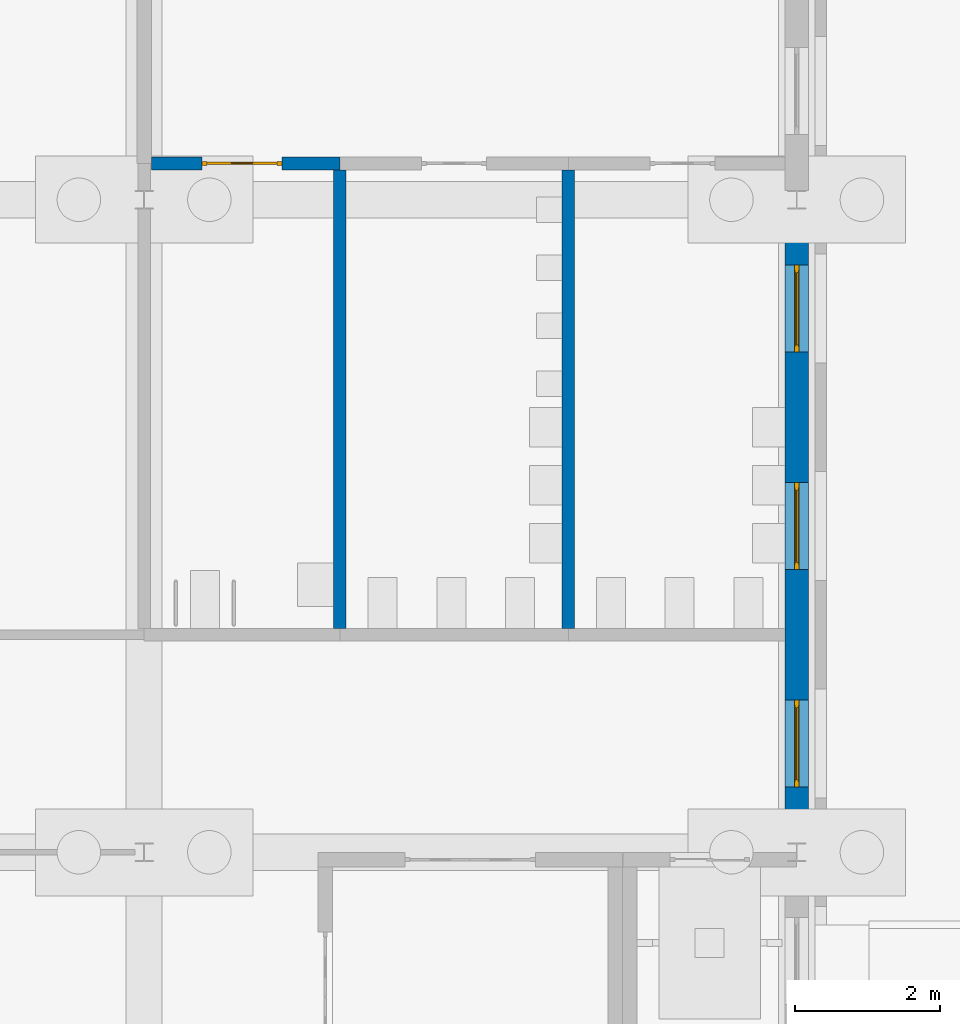
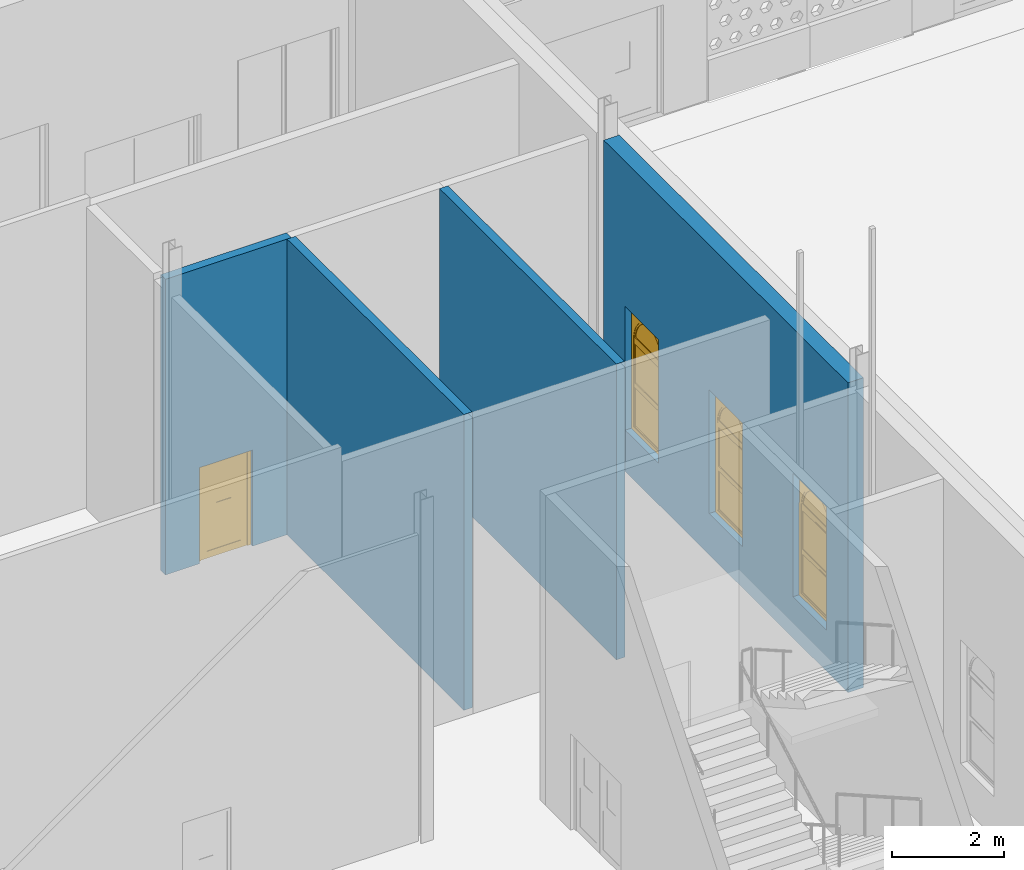
# One storey, part 118 of 250: 4 walls, 3 windows, 1 door, 4 openings.
"""IFC4 building model written with IfcOpenShell, lengths in metres."""

from ifc_helpers import new_model, si_unit, direction, frame, frame_2d, origin, place, context, subcontext, project, spatial, polyline, rectangle, outline, extrude, material, layer, layer_set, type_object, element, fill, save


model = new_model("IFC4")

# Units and contexts
model_context = context("Model", 3, precision=1e-05, world=origin(), true_north=direction((0.0, 1.0)))
body_context = subcontext(model_context, "Body", "Model", "MODEL_VIEW")
ifc_project = project(units=[si_unit("LENGTHUNIT", "METRE"), si_unit("AREAUNIT", "SQUARE_METRE"), si_unit("VOLUMEUNIT", "CUBIC_METRE"), si_unit("PLANEANGLEUNIT", "RADIAN"), si_unit("MASSUNIT", "GRAM", prefix="KILO")], contexts=[model_context])

# Site, building, storey
site_placement = place(None, origin())
site = spatial("IfcSite", under=ifc_project, at=site_placement, CompositionType="ELEMENT")
building_placement = place(site_placement, origin())
building = spatial("IfcBuilding", under=site, at=building_placement, Name="Baradari Gate Terminus", CompositionType="ELEMENT")
storey_placement = place(building_placement, origin())
storey = spatial("IfcBuildingStorey", under=building, at=storey_placement, Name="L00", CompositionType="ELEMENT", Elevation=0.0)

# Wall, openings, windows
ifc_material_1 = material(Name="Sandstone masonry", Category="masonry")
ifc_layer_1 = layer(ifc_material_1, 0.320068359375)
ifc_layer_set_1 = layer_set([ifc_layer_1], Name="Sandstone masonry")
wall_type_1 = type_object("IfcWallType", Name="Sandstone masonry wall WS-3 320", PredefinedType="SOLIDWALL", material=ifc_layer_set_1)
wall_1_placement = place(storey_placement, frame((153.0, 18.130126953125, 0.0), z_axis=(0.0, 0.0, 1.0), x_axis=(0.0, 1.0, 0.0)))
wall_1 = element("IfcWall", 1, at=wall_1_placement, inside=storey, type_object=wall_type_1, Name="east end wall SE bay 3 L00", PredefinedType="SOLIDWALL", context=body_context, shape_type="SweptSolid", body=[
    extrude(rectangle(XDim=8.73974609375, YDim=0.320068359375, at=frame_2d((4.369873046875, 0.0))), origin(), (0.0, 0.0, 1.0), 6.767333984375),
])
opening_1_placement = place(wall_1_placement, frame((0.769775390625, 0.0, 0.89990234375)))
opening_1 = element("IfcOpeningElement", 2, at=opening_1_placement, cuts=wall_1, Name="Opening W7", PredefinedType="OPENING", context=body_context, shape_type="SweptSolid", body=[
    extrude(rectangle(XDim=1.199951171875, YDim=2.699951171875, at=frame_2d((0.60009765625, 1.35009765625))), frame((0.0, 0.169921875, 0.0), z_axis=(0.0, -1.0, 0.0), x_axis=(1.0, 0.0, 0.0)), (0.0, 0.0, 1.0), 0.340087890625),
])
opening_2_placement = place(wall_1_placement, frame((3.769775390625, 0.0, 0.89990234375)))
opening_2 = element("IfcOpeningElement", 3, at=opening_2_placement, cuts=wall_1, Name="Opening W7", PredefinedType="OPENING", context=body_context, shape_type="SweptSolid", body=[
    extrude(rectangle(XDim=1.199951171875, YDim=2.699951171875, at=frame_2d((0.60009765625, 1.35009765625))), frame((0.0, 0.169921875, 0.0), z_axis=(0.0, -1.0, 0.0), x_axis=(1.0, 0.0, 0.0)), (0.0, 0.0, 1.0), 0.340087890625),
])
opening_3_placement = place(wall_1_placement, frame((6.769775390625, 0.0, 0.89990234375)))
opening_3 = element("IfcOpeningElement", 4, at=opening_3_placement, cuts=wall_1, Name="Opening W7", PredefinedType="OPENING", context=body_context, shape_type="SweptSolid", body=[
    extrude(rectangle(XDim=1.199951171875, YDim=2.699951171875, at=frame_2d((0.60009765625, 1.35009765625))), frame((0.0, 0.169921875, 0.0), z_axis=(0.0, -1.0, 0.0), x_axis=(1.0, 0.0, 0.0)), (0.0, 0.0, 1.0), 0.340087890625),
])
ifc_material_2 = material(Name="Aluminium 6063-T6", Category="aluminium")
window_type = type_object("IfcWindowType", Name="Service block window W7 1200x2700", PartitioningType="DOUBLE_PANEL_HORIZONTAL", PredefinedType="WINDOW", material=ifc_material_2)
window_1_placement = place(opening_1_placement, origin())
window_1 = element("IfcWindow", 5, at=window_1_placement, inside=storey, type_object=window_type, Name="Window W7 SE/02", OverallHeight=2.7, OverallWidth=1.2, PartitioningType="DOUBLE_PANEL_HORIZONTAL", PredefinedType="WINDOW", context=body_context, shape_type="SweptSolid", body=[
    extrude(outline(polyline([(0.0, 0.0), (1.199951171875, 0.0), (1.199951171875, 1.969970703125), (1.195068359375, 2.05517578125), (1.180419921875, 2.13916015625), (1.15625, 2.220947265625), (1.123046875, 2.29931640625), (1.0810546875, 2.37353515625), (1.03076171875, 2.4423828125), (0.972900390625, 2.505126953125), (0.908203125, 2.560791015625), (0.837646484375, 2.608642578125), (0.76220703125, 2.648193359375), (0.6826171875, 2.6787109375), (0.599853515625, 2.699951171875), (0.517333984375, 2.6787109375), (0.437744140625, 2.648193359375), (0.3623046875, 2.608642578125), (0.291748046875, 2.560791015625), (0.22705078125, 2.505126953125), (0.169189453125, 2.4423828125), (0.118896484375, 2.37353515625), (0.076904296875, 2.29931640625), (0.043701171875, 2.220947265625), (0.01953125, 2.13916015625), (0.0048828125, 2.05517578125), (0.0, 1.969970703125), (0.0, 0.0)]), holes=[polyline([(0.070068359375, 0.070068359375), (1.1298828125, 0.070068359375), (1.1298828125, 1.969970703125), (1.12548828125, 2.0458984375), (1.11279296875, 2.12109375), (1.091552734375, 2.1943359375), (1.062255859375, 2.2646484375), (1.025390625, 2.3310546875), (0.98095703125, 2.39306640625), (0.929931640625, 2.44970703125), (0.873046875, 2.500244140625), (0.810791015625, 2.5439453125), (0.743896484375, 2.58056640625), (0.67333984375, 2.609375), (0.60009765625, 2.6298828125), (0.526611328125, 2.609375), (0.4560546875, 2.58056640625), (0.38916015625, 2.5439453125), (0.326904296875, 2.500244140625), (0.27001953125, 2.44970703125), (0.218994140625, 2.39306640625), (0.174560546875, 2.3310546875), (0.1376953125, 2.2646484375), (0.1083984375, 2.1943359375), (0.087158203125, 2.12109375), (0.074462890625, 2.0458984375), (0.070068359375, 1.969970703125), (0.070068359375, 0.070068359375)])]), frame((0.0, 0.030029296875, 0.0), z_axis=(0.0, -1.0, 0.0), x_axis=(1.0, 0.0, 0.0)), (0.0, 0.0, 1.0), 0.06005859375),
    extrude(outline(polyline([(0.0, 1.969970703125), (0.0048828125, 2.05517578125), (0.01953125, 2.13916015625), (0.043701171875, 2.220947265625), (0.076904296875, 2.29931640625), (0.118896484375, 2.37353515625), (0.169189453125, 2.4423828125), (0.22705078125, 2.505126953125), (0.291748046875, 2.560791015625), (0.3623046875, 2.608642578125), (0.437744140625, 2.648193359375), (0.517333984375, 2.6787109375), (0.599853515625, 2.699951171875), (0.0, 2.699951171875), (0.0, 1.969970703125)])), frame((0.0, 0.028076171875, 0.0), z_axis=(0.0, -1.0, 0.0), x_axis=(1.0, 0.0, 0.0)), (0.0, 0.0, 1.0), 0.05615234375),
    extrude(outline(polyline([(0.599853515625, 2.699951171875), (0.6826171875, 2.6787109375), (0.76220703125, 2.648193359375), (0.837646484375, 2.608642578125), (0.908203125, 2.560791015625), (0.972900390625, 2.505126953125), (1.03076171875, 2.4423828125), (1.0810546875, 2.37353515625), (1.123046875, 2.29931640625), (1.15625, 2.220947265625), (1.180419921875, 2.13916015625), (1.195068359375, 2.05517578125), (1.199951171875, 1.969970703125), (1.199951171875, 2.699951171875), (0.599853515625, 2.699951171875)])), frame((0.0, 0.027099609375, 0.0), z_axis=(0.0, -1.0, 0.0), x_axis=(1.0, 0.0, 0.0)), (0.0, 0.0, 1.0), 0.05419921875),
    extrude(outline(polyline([(1.127685546875, 2.010009765625), (0.072265625, 2.010009765625), (0.070068359375, 1.969970703125), (0.070068359375, 1.929931640625), (1.1298828125, 1.929931640625), (1.1298828125, 1.969970703125), (1.127685546875, 2.010009765625)])), frame((0.0, 0.02099609375, 0.0), z_axis=(0.0, -1.0, 0.0), x_axis=(1.0, 0.0, 0.0)), (0.0, 0.0, 1.0), 0.0419921875),
    extrude(rectangle(XDim=1.059814453125, YDim=0.0400390625, at=frame_2d((0.60009765625, 1.0))), frame((0.0, 0.021484375, 0.0), z_axis=(0.0, -1.0, 0.0), x_axis=(1.0, 0.0, 0.0)), (0.0, 0.0, 1.0), 0.04296875),
    extrude(outline(polyline([(0.070068359375, 0.070068359375), (1.1298828125, 0.070068359375), (1.1298828125, 0.97998046875), (0.070068359375, 0.97998046875), (0.070068359375, 0.070068359375)]), holes=[polyline([(0.10009765625, 0.10009765625), (1.099853515625, 0.10009765625), (1.099853515625, 0.949951171875), (0.10009765625, 0.949951171875), (0.10009765625, 0.10009765625)])]), frame((0.0, 0.0224609375, 0.0), z_axis=(0.0, -1.0, 0.0), x_axis=(1.0, 0.0, 0.0)), (0.0, 0.0, 1.0), 0.044921875),
    extrude(rectangle(XDim=0.999755859375, YDim=0.849853515625, at=frame_2d((0.60009765625, 0.52490234375))), frame((0.0, 0.006103515625, 0.0), z_axis=(0.0, -1.0, 0.0), x_axis=(1.0, 0.0, 0.0)), (0.0, 0.0, 1.0), 0.01220703125),
    extrude(outline(polyline([(0.070068359375, 1.02001953125), (1.1298828125, 1.02001953125), (1.1298828125, 1.929931640625), (0.070068359375, 1.929931640625), (0.070068359375, 1.02001953125)]), holes=[polyline([(0.10009765625, 1.050048828125), (1.099853515625, 1.050048828125), (1.099853515625, 1.89990234375), (0.10009765625, 1.89990234375), (0.10009765625, 1.050048828125)])]), frame((0.0, 0.0224609375, 0.0), z_axis=(0.0, -1.0, 0.0), x_axis=(1.0, 0.0, 0.0)), (0.0, 0.0, 1.0), 0.044921875),
    extrude(rectangle(XDim=0.999755859375, YDim=0.849853515625, at=frame_2d((0.60009765625, 1.47509765625))), frame((0.0, 0.006103515625, 0.0), z_axis=(0.0, -1.0, 0.0), x_axis=(1.0, 0.0, 0.0)), (0.0, 0.0, 1.0), 0.01220703125),
    extrude(outline(polyline([(0.072265625, 2.010009765625), (1.127685546875, 2.010009765625), (1.12548828125, 2.0458984375), (1.11279296875, 2.12109375), (1.091552734375, 2.1943359375), (1.062255859375, 2.2646484375), (1.025390625, 2.3310546875), (0.98095703125, 2.39306640625), (0.929931640625, 2.44970703125), (0.873046875, 2.500244140625), (0.810791015625, 2.5439453125), (0.743896484375, 2.58056640625), (0.67333984375, 2.609375), (0.60009765625, 2.6298828125), (0.526611328125, 2.609375), (0.4560546875, 2.58056640625), (0.38916015625, 2.5439453125), (0.326904296875, 2.500244140625), (0.27001953125, 2.44970703125), (0.218994140625, 2.39306640625), (0.174560546875, 2.3310546875), (0.1376953125, 2.2646484375), (0.1083984375, 2.1943359375), (0.087158203125, 2.12109375), (0.074462890625, 2.0458984375), (0.072265625, 2.010009765625)]), holes=[polyline([(0.10986328125, 2.044921875), (0.121337890625, 2.11328125), (0.141357421875, 2.1826171875), (0.169189453125, 2.249267578125), (0.2041015625, 2.312255859375), (0.246337890625, 2.37109375), (0.294677734375, 2.4248046875), (0.3486328125, 2.47265625), (0.40771484375, 2.51416015625), (0.47119140625, 2.548828125), (0.5380859375, 2.576171875), (0.60009765625, 2.593505859375), (0.661865234375, 2.576171875), (0.728759765625, 2.548828125), (0.792236328125, 2.51416015625), (0.851318359375, 2.47265625), (0.9052734375, 2.4248046875), (0.95361328125, 2.37109375), (0.995849609375, 2.312255859375), (1.03076171875, 2.249267578125), (1.05859375, 2.1826171875), (1.07861328125, 2.11328125), (1.090087890625, 2.044921875), (0.10986328125, 2.044921875)])]), frame((0.0, 0.0224609375, 0.0), z_axis=(0.0, -1.0, 0.0), x_axis=(1.0, 0.0, 0.0)), (0.0, 0.0, 1.0), 0.044921875),
    extrude(outline(polyline([(1.090087890625, 2.044921875), (1.07861328125, 2.11328125), (1.05859375, 2.1826171875), (1.03076171875, 2.249267578125), (0.995849609375, 2.312255859375), (0.95361328125, 2.37109375), (0.9052734375, 2.4248046875), (0.851318359375, 2.47265625), (0.792236328125, 2.51416015625), (0.728759765625, 2.548828125), (0.661865234375, 2.576171875), (0.60009765625, 2.593505859375), (0.5380859375, 2.576171875), (0.47119140625, 2.548828125), (0.40771484375, 2.51416015625), (0.3486328125, 2.47265625), (0.294677734375, 2.4248046875), (0.246337890625, 2.37109375), (0.2041015625, 2.312255859375), (0.169189453125, 2.249267578125), (0.141357421875, 2.1826171875), (0.121337890625, 2.11328125), (0.10986328125, 2.044921875), (1.090087890625, 2.044921875)])), frame((0.0, 0.006103515625, 0.0), z_axis=(0.0, -1.0, 0.0), x_axis=(1.0, 0.0, 0.0)), (0.0, 0.0, 1.0), 0.01220703125),
])
fill(opening_1, window_1)
window_2_placement = place(opening_2_placement, origin())
window_2 = element("IfcWindow", 6, at=window_2_placement, inside=storey, type_object=window_type, Name="Window W7 SE/02", OverallHeight=2.7, OverallWidth=1.2, PartitioningType="DOUBLE_PANEL_HORIZONTAL", PredefinedType="WINDOW", context=body_context, shape_type="SweptSolid", body=[
    extrude(outline(polyline([(0.0, 0.0), (1.199951171875, 0.0), (1.199951171875, 1.969970703125), (1.195068359375, 2.05517578125), (1.180419921875, 2.13916015625), (1.15625, 2.220947265625), (1.123046875, 2.29931640625), (1.0810546875, 2.37353515625), (1.03076171875, 2.4423828125), (0.972900390625, 2.505126953125), (0.908203125, 2.560791015625), (0.837646484375, 2.608642578125), (0.76220703125, 2.648193359375), (0.6826171875, 2.6787109375), (0.599853515625, 2.699951171875), (0.517333984375, 2.6787109375), (0.437744140625, 2.648193359375), (0.3623046875, 2.608642578125), (0.291748046875, 2.560791015625), (0.22705078125, 2.505126953125), (0.169189453125, 2.4423828125), (0.118896484375, 2.37353515625), (0.076904296875, 2.29931640625), (0.043701171875, 2.220947265625), (0.01953125, 2.13916015625), (0.0048828125, 2.05517578125), (0.0, 1.969970703125), (0.0, 0.0)]), holes=[polyline([(0.070068359375, 0.070068359375), (1.1298828125, 0.070068359375), (1.1298828125, 1.969970703125), (1.12548828125, 2.0458984375), (1.11279296875, 2.12109375), (1.091552734375, 2.1943359375), (1.062255859375, 2.2646484375), (1.025390625, 2.3310546875), (0.98095703125, 2.39306640625), (0.929931640625, 2.44970703125), (0.873046875, 2.500244140625), (0.810791015625, 2.5439453125), (0.743896484375, 2.58056640625), (0.67333984375, 2.609375), (0.60009765625, 2.6298828125), (0.526611328125, 2.609375), (0.4560546875, 2.58056640625), (0.38916015625, 2.5439453125), (0.326904296875, 2.500244140625), (0.27001953125, 2.44970703125), (0.218994140625, 2.39306640625), (0.174560546875, 2.3310546875), (0.1376953125, 2.2646484375), (0.1083984375, 2.1943359375), (0.087158203125, 2.12109375), (0.074462890625, 2.0458984375), (0.070068359375, 1.969970703125), (0.070068359375, 0.070068359375)])]), frame((0.0, 0.030029296875, 0.0), z_axis=(0.0, -1.0, 0.0), x_axis=(1.0, 0.0, 0.0)), (0.0, 0.0, 1.0), 0.06005859375),
    extrude(outline(polyline([(0.0, 1.969970703125), (0.0048828125, 2.05517578125), (0.01953125, 2.13916015625), (0.043701171875, 2.220947265625), (0.076904296875, 2.29931640625), (0.118896484375, 2.37353515625), (0.169189453125, 2.4423828125), (0.22705078125, 2.505126953125), (0.291748046875, 2.560791015625), (0.3623046875, 2.608642578125), (0.437744140625, 2.648193359375), (0.517333984375, 2.6787109375), (0.599853515625, 2.699951171875), (0.0, 2.699951171875), (0.0, 1.969970703125)])), frame((0.0, 0.028076171875, 0.0), z_axis=(0.0, -1.0, 0.0), x_axis=(1.0, 0.0, 0.0)), (0.0, 0.0, 1.0), 0.05615234375),
    extrude(outline(polyline([(0.599853515625, 2.699951171875), (0.6826171875, 2.6787109375), (0.76220703125, 2.648193359375), (0.837646484375, 2.608642578125), (0.908203125, 2.560791015625), (0.972900390625, 2.505126953125), (1.03076171875, 2.4423828125), (1.0810546875, 2.37353515625), (1.123046875, 2.29931640625), (1.15625, 2.220947265625), (1.180419921875, 2.13916015625), (1.195068359375, 2.05517578125), (1.199951171875, 1.969970703125), (1.199951171875, 2.699951171875), (0.599853515625, 2.699951171875)])), frame((0.0, 0.027099609375, 0.0), z_axis=(0.0, -1.0, 0.0), x_axis=(1.0, 0.0, 0.0)), (0.0, 0.0, 1.0), 0.05419921875),
    extrude(outline(polyline([(1.127685546875, 2.010009765625), (0.072265625, 2.010009765625), (0.070068359375, 1.969970703125), (0.070068359375, 1.929931640625), (1.1298828125, 1.929931640625), (1.1298828125, 1.969970703125), (1.127685546875, 2.010009765625)])), frame((0.0, 0.02099609375, 0.0), z_axis=(0.0, -1.0, 0.0), x_axis=(1.0, 0.0, 0.0)), (0.0, 0.0, 1.0), 0.0419921875),
    extrude(rectangle(XDim=1.059814453125, YDim=0.0400390625, at=frame_2d((0.60009765625, 1.0))), frame((0.0, 0.021484375, 0.0), z_axis=(0.0, -1.0, 0.0), x_axis=(1.0, 0.0, 0.0)), (0.0, 0.0, 1.0), 0.04296875),
    extrude(outline(polyline([(0.070068359375, 0.070068359375), (1.1298828125, 0.070068359375), (1.1298828125, 0.97998046875), (0.070068359375, 0.97998046875), (0.070068359375, 0.070068359375)]), holes=[polyline([(0.10009765625, 0.10009765625), (1.099853515625, 0.10009765625), (1.099853515625, 0.949951171875), (0.10009765625, 0.949951171875), (0.10009765625, 0.10009765625)])]), frame((0.0, 0.0224609375, 0.0), z_axis=(0.0, -1.0, 0.0), x_axis=(1.0, 0.0, 0.0)), (0.0, 0.0, 1.0), 0.044921875),
    extrude(rectangle(XDim=0.999755859375, YDim=0.849853515625, at=frame_2d((0.60009765625, 0.52490234375))), frame((0.0, 0.006103515625, 0.0), z_axis=(0.0, -1.0, 0.0), x_axis=(1.0, 0.0, 0.0)), (0.0, 0.0, 1.0), 0.01220703125),
    extrude(outline(polyline([(0.070068359375, 1.02001953125), (1.1298828125, 1.02001953125), (1.1298828125, 1.929931640625), (0.070068359375, 1.929931640625), (0.070068359375, 1.02001953125)]), holes=[polyline([(0.10009765625, 1.050048828125), (1.099853515625, 1.050048828125), (1.099853515625, 1.89990234375), (0.10009765625, 1.89990234375), (0.10009765625, 1.050048828125)])]), frame((0.0, 0.0224609375, 0.0), z_axis=(0.0, -1.0, 0.0), x_axis=(1.0, 0.0, 0.0)), (0.0, 0.0, 1.0), 0.044921875),
    extrude(rectangle(XDim=0.999755859375, YDim=0.849853515625, at=frame_2d((0.60009765625, 1.47509765625))), frame((0.0, 0.006103515625, 0.0), z_axis=(0.0, -1.0, 0.0), x_axis=(1.0, 0.0, 0.0)), (0.0, 0.0, 1.0), 0.01220703125),
    extrude(outline(polyline([(0.072265625, 2.010009765625), (1.127685546875, 2.010009765625), (1.12548828125, 2.0458984375), (1.11279296875, 2.12109375), (1.091552734375, 2.1943359375), (1.062255859375, 2.2646484375), (1.025390625, 2.3310546875), (0.98095703125, 2.39306640625), (0.929931640625, 2.44970703125), (0.873046875, 2.500244140625), (0.810791015625, 2.5439453125), (0.743896484375, 2.58056640625), (0.67333984375, 2.609375), (0.60009765625, 2.6298828125), (0.526611328125, 2.609375), (0.4560546875, 2.58056640625), (0.38916015625, 2.5439453125), (0.326904296875, 2.500244140625), (0.27001953125, 2.44970703125), (0.218994140625, 2.39306640625), (0.174560546875, 2.3310546875), (0.1376953125, 2.2646484375), (0.1083984375, 2.1943359375), (0.087158203125, 2.12109375), (0.074462890625, 2.0458984375), (0.072265625, 2.010009765625)]), holes=[polyline([(0.10986328125, 2.044921875), (0.121337890625, 2.11328125), (0.141357421875, 2.1826171875), (0.169189453125, 2.249267578125), (0.2041015625, 2.312255859375), (0.246337890625, 2.37109375), (0.294677734375, 2.4248046875), (0.3486328125, 2.47265625), (0.40771484375, 2.51416015625), (0.47119140625, 2.548828125), (0.5380859375, 2.576171875), (0.60009765625, 2.593505859375), (0.661865234375, 2.576171875), (0.728759765625, 2.548828125), (0.792236328125, 2.51416015625), (0.851318359375, 2.47265625), (0.9052734375, 2.4248046875), (0.95361328125, 2.37109375), (0.995849609375, 2.312255859375), (1.03076171875, 2.249267578125), (1.05859375, 2.1826171875), (1.07861328125, 2.11328125), (1.090087890625, 2.044921875), (0.10986328125, 2.044921875)])]), frame((0.0, 0.0224609375, 0.0), z_axis=(0.0, -1.0, 0.0), x_axis=(1.0, 0.0, 0.0)), (0.0, 0.0, 1.0), 0.044921875),
    extrude(outline(polyline([(1.090087890625, 2.044921875), (1.07861328125, 2.11328125), (1.05859375, 2.1826171875), (1.03076171875, 2.249267578125), (0.995849609375, 2.312255859375), (0.95361328125, 2.37109375), (0.9052734375, 2.4248046875), (0.851318359375, 2.47265625), (0.792236328125, 2.51416015625), (0.728759765625, 2.548828125), (0.661865234375, 2.576171875), (0.60009765625, 2.593505859375), (0.5380859375, 2.576171875), (0.47119140625, 2.548828125), (0.40771484375, 2.51416015625), (0.3486328125, 2.47265625), (0.294677734375, 2.4248046875), (0.246337890625, 2.37109375), (0.2041015625, 2.312255859375), (0.169189453125, 2.249267578125), (0.141357421875, 2.1826171875), (0.121337890625, 2.11328125), (0.10986328125, 2.044921875), (1.090087890625, 2.044921875)])), frame((0.0, 0.006103515625, 0.0), z_axis=(0.0, -1.0, 0.0), x_axis=(1.0, 0.0, 0.0)), (0.0, 0.0, 1.0), 0.01220703125),
])
fill(opening_2, window_2)
window_3_placement = place(opening_3_placement, origin())
window_3 = element("IfcWindow", 7, at=window_3_placement, inside=storey, type_object=window_type, Name="Window W7 SE/02", OverallHeight=2.7, OverallWidth=1.2, PartitioningType="DOUBLE_PANEL_HORIZONTAL", PredefinedType="WINDOW", context=body_context, shape_type="SweptSolid", body=[
    extrude(outline(polyline([(0.0, 0.0), (1.199951171875, 0.0), (1.199951171875, 1.969970703125), (1.195068359375, 2.05517578125), (1.180419921875, 2.13916015625), (1.15625, 2.220947265625), (1.123046875, 2.29931640625), (1.0810546875, 2.37353515625), (1.03076171875, 2.4423828125), (0.972900390625, 2.505126953125), (0.908203125, 2.560791015625), (0.837646484375, 2.608642578125), (0.76220703125, 2.648193359375), (0.6826171875, 2.6787109375), (0.599853515625, 2.699951171875), (0.517333984375, 2.6787109375), (0.437744140625, 2.648193359375), (0.3623046875, 2.608642578125), (0.291748046875, 2.560791015625), (0.22705078125, 2.505126953125), (0.169189453125, 2.4423828125), (0.118896484375, 2.37353515625), (0.076904296875, 2.29931640625), (0.043701171875, 2.220947265625), (0.01953125, 2.13916015625), (0.0048828125, 2.05517578125), (0.0, 1.969970703125), (0.0, 0.0)]), holes=[polyline([(0.070068359375, 0.070068359375), (1.1298828125, 0.070068359375), (1.1298828125, 1.969970703125), (1.12548828125, 2.0458984375), (1.11279296875, 2.12109375), (1.091552734375, 2.1943359375), (1.062255859375, 2.2646484375), (1.025390625, 2.3310546875), (0.98095703125, 2.39306640625), (0.929931640625, 2.44970703125), (0.873046875, 2.500244140625), (0.810791015625, 2.5439453125), (0.743896484375, 2.58056640625), (0.67333984375, 2.609375), (0.60009765625, 2.6298828125), (0.526611328125, 2.609375), (0.4560546875, 2.58056640625), (0.38916015625, 2.5439453125), (0.326904296875, 2.500244140625), (0.27001953125, 2.44970703125), (0.218994140625, 2.39306640625), (0.174560546875, 2.3310546875), (0.1376953125, 2.2646484375), (0.1083984375, 2.1943359375), (0.087158203125, 2.12109375), (0.074462890625, 2.0458984375), (0.070068359375, 1.969970703125), (0.070068359375, 0.070068359375)])]), frame((0.0, 0.030029296875, 0.0), z_axis=(0.0, -1.0, 0.0), x_axis=(1.0, 0.0, 0.0)), (0.0, 0.0, 1.0), 0.06005859375),
    extrude(outline(polyline([(0.0, 1.969970703125), (0.0048828125, 2.05517578125), (0.01953125, 2.13916015625), (0.043701171875, 2.220947265625), (0.076904296875, 2.29931640625), (0.118896484375, 2.37353515625), (0.169189453125, 2.4423828125), (0.22705078125, 2.505126953125), (0.291748046875, 2.560791015625), (0.3623046875, 2.608642578125), (0.437744140625, 2.648193359375), (0.517333984375, 2.6787109375), (0.599853515625, 2.699951171875), (0.0, 2.699951171875), (0.0, 1.969970703125)])), frame((0.0, 0.028076171875, 0.0), z_axis=(0.0, -1.0, 0.0), x_axis=(1.0, 0.0, 0.0)), (0.0, 0.0, 1.0), 0.05615234375),
    extrude(outline(polyline([(0.599853515625, 2.699951171875), (0.6826171875, 2.6787109375), (0.76220703125, 2.648193359375), (0.837646484375, 2.608642578125), (0.908203125, 2.560791015625), (0.972900390625, 2.505126953125), (1.03076171875, 2.4423828125), (1.0810546875, 2.37353515625), (1.123046875, 2.29931640625), (1.15625, 2.220947265625), (1.180419921875, 2.13916015625), (1.195068359375, 2.05517578125), (1.199951171875, 1.969970703125), (1.199951171875, 2.699951171875), (0.599853515625, 2.699951171875)])), frame((0.0, 0.027099609375, 0.0), z_axis=(0.0, -1.0, 0.0), x_axis=(1.0, 0.0, 0.0)), (0.0, 0.0, 1.0), 0.05419921875),
    extrude(outline(polyline([(1.127685546875, 2.010009765625), (0.072265625, 2.010009765625), (0.070068359375, 1.969970703125), (0.070068359375, 1.929931640625), (1.1298828125, 1.929931640625), (1.1298828125, 1.969970703125), (1.127685546875, 2.010009765625)])), frame((0.0, 0.02099609375, 0.0), z_axis=(0.0, -1.0, 0.0), x_axis=(1.0, 0.0, 0.0)), (0.0, 0.0, 1.0), 0.0419921875),
    extrude(rectangle(XDim=1.059814453125, YDim=0.0400390625, at=frame_2d((0.60009765625, 1.0))), frame((0.0, 0.021484375, 0.0), z_axis=(0.0, -1.0, 0.0), x_axis=(1.0, 0.0, 0.0)), (0.0, 0.0, 1.0), 0.04296875),
    extrude(outline(polyline([(0.070068359375, 0.070068359375), (1.1298828125, 0.070068359375), (1.1298828125, 0.97998046875), (0.070068359375, 0.97998046875), (0.070068359375, 0.070068359375)]), holes=[polyline([(0.10009765625, 0.10009765625), (1.099853515625, 0.10009765625), (1.099853515625, 0.949951171875), (0.10009765625, 0.949951171875), (0.10009765625, 0.10009765625)])]), frame((0.0, 0.0224609375, 0.0), z_axis=(0.0, -1.0, 0.0), x_axis=(1.0, 0.0, 0.0)), (0.0, 0.0, 1.0), 0.044921875),
    extrude(rectangle(XDim=0.999755859375, YDim=0.849853515625, at=frame_2d((0.60009765625, 0.52490234375))), frame((0.0, 0.006103515625, 0.0), z_axis=(0.0, -1.0, 0.0), x_axis=(1.0, 0.0, 0.0)), (0.0, 0.0, 1.0), 0.01220703125),
    extrude(outline(polyline([(0.070068359375, 1.02001953125), (1.1298828125, 1.02001953125), (1.1298828125, 1.929931640625), (0.070068359375, 1.929931640625), (0.070068359375, 1.02001953125)]), holes=[polyline([(0.10009765625, 1.050048828125), (1.099853515625, 1.050048828125), (1.099853515625, 1.89990234375), (0.10009765625, 1.89990234375), (0.10009765625, 1.050048828125)])]), frame((0.0, 0.0224609375, 0.0), z_axis=(0.0, -1.0, 0.0), x_axis=(1.0, 0.0, 0.0)), (0.0, 0.0, 1.0), 0.044921875),
    extrude(rectangle(XDim=0.999755859375, YDim=0.849853515625, at=frame_2d((0.60009765625, 1.47509765625))), frame((0.0, 0.006103515625, 0.0), z_axis=(0.0, -1.0, 0.0), x_axis=(1.0, 0.0, 0.0)), (0.0, 0.0, 1.0), 0.01220703125),
    extrude(outline(polyline([(0.072265625, 2.010009765625), (1.127685546875, 2.010009765625), (1.12548828125, 2.0458984375), (1.11279296875, 2.12109375), (1.091552734375, 2.1943359375), (1.062255859375, 2.2646484375), (1.025390625, 2.3310546875), (0.98095703125, 2.39306640625), (0.929931640625, 2.44970703125), (0.873046875, 2.500244140625), (0.810791015625, 2.5439453125), (0.743896484375, 2.58056640625), (0.67333984375, 2.609375), (0.60009765625, 2.6298828125), (0.526611328125, 2.609375), (0.4560546875, 2.58056640625), (0.38916015625, 2.5439453125), (0.326904296875, 2.500244140625), (0.27001953125, 2.44970703125), (0.218994140625, 2.39306640625), (0.174560546875, 2.3310546875), (0.1376953125, 2.2646484375), (0.1083984375, 2.1943359375), (0.087158203125, 2.12109375), (0.074462890625, 2.0458984375), (0.072265625, 2.010009765625)]), holes=[polyline([(0.10986328125, 2.044921875), (0.121337890625, 2.11328125), (0.141357421875, 2.1826171875), (0.169189453125, 2.249267578125), (0.2041015625, 2.312255859375), (0.246337890625, 2.37109375), (0.294677734375, 2.4248046875), (0.3486328125, 2.47265625), (0.40771484375, 2.51416015625), (0.47119140625, 2.548828125), (0.5380859375, 2.576171875), (0.60009765625, 2.593505859375), (0.661865234375, 2.576171875), (0.728759765625, 2.548828125), (0.792236328125, 2.51416015625), (0.851318359375, 2.47265625), (0.9052734375, 2.4248046875), (0.95361328125, 2.37109375), (0.995849609375, 2.312255859375), (1.03076171875, 2.249267578125), (1.05859375, 2.1826171875), (1.07861328125, 2.11328125), (1.090087890625, 2.044921875), (0.10986328125, 2.044921875)])]), frame((0.0, 0.0224609375, 0.0), z_axis=(0.0, -1.0, 0.0), x_axis=(1.0, 0.0, 0.0)), (0.0, 0.0, 1.0), 0.044921875),
    extrude(outline(polyline([(1.090087890625, 2.044921875), (1.07861328125, 2.11328125), (1.05859375, 2.1826171875), (1.03076171875, 2.249267578125), (0.995849609375, 2.312255859375), (0.95361328125, 2.37109375), (0.9052734375, 2.4248046875), (0.851318359375, 2.47265625), (0.792236328125, 2.51416015625), (0.728759765625, 2.548828125), (0.661865234375, 2.576171875), (0.60009765625, 2.593505859375), (0.5380859375, 2.576171875), (0.47119140625, 2.548828125), (0.40771484375, 2.51416015625), (0.3486328125, 2.47265625), (0.294677734375, 2.4248046875), (0.246337890625, 2.37109375), (0.2041015625, 2.312255859375), (0.169189453125, 2.249267578125), (0.141357421875, 2.1826171875), (0.121337890625, 2.11328125), (0.10986328125, 2.044921875), (1.090087890625, 2.044921875)])), frame((0.0, 0.006103515625, 0.0), z_axis=(0.0, -1.0, 0.0), x_axis=(1.0, 0.0, 0.0)), (0.0, 0.0, 1.0), 0.01220703125),
])
fill(opening_3, window_3)

# Wall, opening, door
ifc_material_3 = material(Name="Blockwork wall, tiled both faces", Category="masonry")
ifc_layer_2 = layer(ifc_material_3, 0.175048828125)
ifc_layer_set_2 = layer_set([ifc_layer_2], Name="Blockwork wall, tiled both faces")
wall_type_2 = type_object("IfcWallType", Name="WC wet wall PT-6 175 EI 60", PredefinedType="PARTITIONING", material=ifc_layer_set_2)
wall_2_placement = place(storey_placement, frame((146.699951171875, 27.5, 0.0), z_axis=(0.0, 0.0, 1.0), x_axis=(-1.0, 0.0, 0.0)))
wall_2 = element("IfcWall", 8, at=wall_2_placement, inside=storey, type_object=wall_type_2, Name="PT-6 partition WC Lobby / Accessible WC", PredefinedType="PARTITIONING", context=body_context, shape_type="SweptSolid", body=[
    extrude(rectangle(XDim=2.599853515625, YDim=0.175048828125, at=frame_2d((1.2998046875, 0.0))), origin(), (0.0, 0.0, 1.0), 6.458984375),
])
opening_4_placement = place(wall_2_placement, frame((0.800048828125, 0.0, 0.0)))
opening_4 = element("IfcOpeningElement", 9, at=opening_4_placement, cuts=wall_2, Name="Opening D00-138", PredefinedType="OPENING", context=body_context, shape_type="SweptSolid", body=[
    extrude(rectangle(XDim=1.10009765625, YDim=2.10009765625, at=frame_2d((0.550048828125, 1.050048828125))), frame((0.0, 0.097412109375, 0.0), z_axis=(0.0, -1.0, 0.0), x_axis=(1.0, 0.0, 0.0)), (0.0, 0.0, 1.0), 0.195068359375),
])
ifc_material_4 = material(Name="Steel S275", Category="steel")
door_type = type_object("IfcDoorType", Name="Fire door FI-1100-FD60S 1100x2100 FD60S", OperationType="SINGLE_SWING_LEFT", PredefinedType="DOOR", material=ifc_material_4)
door_placement = place(opening_4_placement, origin())
door = element("IfcDoor", 10, at=door_placement, inside=storey, type_object=door_type, Name="Door Accessible WC", OperationType="SINGLE_SWING_LEFT", OverallHeight=2.1, OverallWidth=1.1, PredefinedType="DOOR", context=body_context, shape_type="SweptSolid", body=[
    extrude(outline(polyline([(0.0, 0.0), (0.070068359375, 0.0), (0.070068359375, 2.030029296875), (1.030029296875, 2.030029296875), (1.030029296875, 0.0), (1.10009765625, 0.0), (1.10009765625, 2.10009765625), (0.0, 2.10009765625), (0.0, 0.0)])), frame((0.0, 0.02490234375, 0.0), z_axis=(0.0, -1.0, 0.0), x_axis=(1.0, 0.0, 0.0)), (0.0, 0.0, 1.0), 0.050048828125),
    extrude(outline(polyline([(0.073974609375, 0.010009765625), (1.026123046875, 0.010009765625), (1.026123046875, 2.026123046875), (0.073974609375, 2.026123046875), (0.073974609375, 0.010009765625)]), holes=[polyline([(0.194091796875, 0.159912109375), (0.906005859375, 0.159912109375), (0.906005859375, 1.010009765625), (0.194091796875, 1.010009765625), (0.194091796875, 0.159912109375)]), polyline([(0.400146484375, 1.159912109375), (0.699951171875, 1.159912109375), (0.699951171875, 1.760009765625), (0.400146484375, 1.760009765625), (0.400146484375, 1.159912109375)])]), frame((0.0, 0.017333984375, 0.0), z_axis=(0.0, -1.0, 0.0), x_axis=(1.0, 0.0, 0.0)), (0.0, 0.0, 1.0), 0.034912109375),
    extrude(rectangle(XDim=0.7119140625, YDim=0.85009765625, at=frame_2d((0.550048828125, 0.5849609375))), frame((0.0, 0.008544921875, 0.0), z_axis=(0.0, -1.0, 0.0), x_axis=(1.0, 0.0, 0.0)), (0.0, 0.0, 1.0), 0.017333984375),
    extrude(rectangle(XDim=0.2998046875, YDim=0.60009765625, at=frame_2d((0.550048828125, 1.4599609375))), frame((0.0, 0.005859375, 0.0), z_axis=(0.0, -1.0, 0.0), x_axis=(1.0, 0.0, 0.0)), (0.0, 0.0, 1.0), 0.011962890625),
])
fill(opening_4, door)

# Walls
for number, where, z_axis, x_axis, name in (
    (11, (146.699951171875, 27.41259765625, 0.0), (0.0, 0.0, 1.0), (0.0, -1.0, 0.0), "PT-6 partition Accessible WC / Male WC"),
    (12, (149.85009765625, 27.41259765625, 0.0), (0.0, 0.0, 1.0), (0.0, -1.0, 0.0), "PT-6 partition Male WC / Female WC"),
):
    element("IfcWall", number, at=place(storey_placement, frame(where, z_axis=z_axis, x_axis=x_axis)), inside=storey, type_object=wall_type_2, Name=name, PredefinedType="PARTITIONING", context=body_context, shape_type="SweptSolid", body=[
        extrude(rectangle(XDim=6.3251953125, YDim=0.175048828125, at=frame_2d((3.16259765625, 0.0))), origin(), (0.0, 0.0, 1.0), 6.458984375),
    ])

save(model, "model.ifc")
